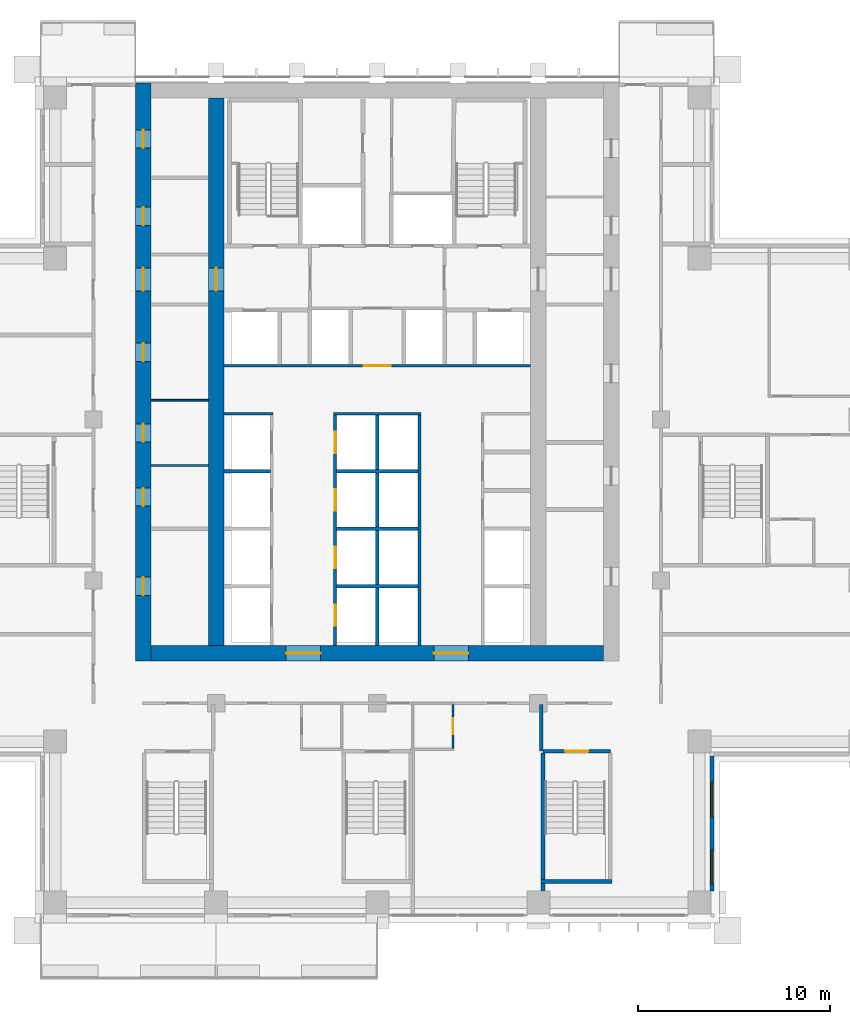
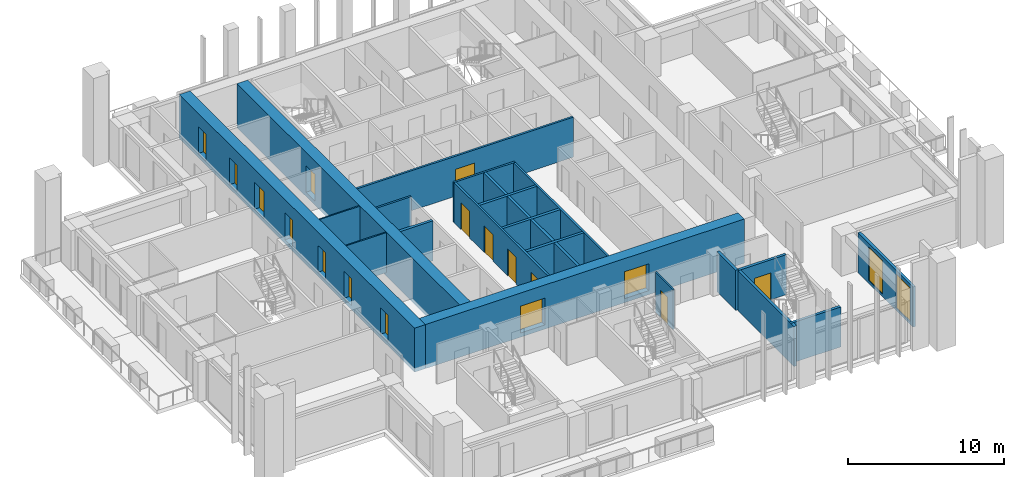
# One storey, part 8 of 17: 21 walls, 17 doors, 2 windows, 19 openings.
"""IFC4 building model written with IfcOpenShell, lengths in metres."""

from ifc_helpers import new_model, si_unit, direction, frame, frame_2d, origin, place, context, subcontext, project, spatial, rectangle, extrude, material, layer, layer_set, type_object, element, fill, save


model = new_model("IFC4")

# Units and contexts
model_context = context("Model", 3, precision=1e-05, world=origin(), true_north=direction((0.0, 1.0)))
body_context = subcontext(model_context, "Body", "Model", "MODEL_VIEW")
ifc_project = project(units=[si_unit("LENGTHUNIT", "METRE"), si_unit("AREAUNIT", "SQUARE_METRE"), si_unit("VOLUMEUNIT", "CUBIC_METRE"), si_unit("PLANEANGLEUNIT", "RADIAN"), si_unit("MASSUNIT", "GRAM", prefix="KILO")], contexts=[model_context])

# Site, building, storey
site_placement = place(None, origin())
site = spatial("IfcSite", under=ifc_project, at=site_placement, CompositionType="ELEMENT")
building_placement = place(site_placement, origin())
building = spatial("IfcBuilding", under=site, at=building_placement, Name="Vermilion Ogive Tower", CompositionType="ELEMENT")
storey_placement = place(building_placement, frame((0.0, 0.0, 97.64990234375)))
storey = spatial("IfcBuildingStorey", under=building, at=storey_placement, Name="L24", CompositionType="ELEMENT", Elevation=97.64990234375)

# Wall, openings, doors
ifc_material_1 = material(Name="Concrete B80", Category="concrete")
ifc_layer_1 = layer(ifc_material_1, 0.800048828125)
ifc_layer_set_1 = layer_set([ifc_layer_1], Name="Core wall 800 B80")
wall_type_1 = type_object("IfcWallType", Name="Core wall 800 B80", PredefinedType="SHEAR", material=ifc_layer_set_1)
wall_1_placement = place(storey_placement, frame((-12.199951171875, -8.39990234375, -0.31982421875), z_axis=(0.0, 0.0, 1.0), x_axis=(0.0, 1.0, 0.0)))
wall_1 = element("IfcWall", 1, at=wall_1_placement, inside=storey, type_object=wall_type_1, Name="L24-CORE-W", PredefinedType="SHEAR", context=body_context, shape_type="SweptSolid", body=[
    extrude(rectangle(XDim=30.14990234375, YDim=0.800048828125, at=frame_2d((15.074951171875, 0.0))), origin(), (0.0, 0.0, 1.0), 3.449951171875),
])
opening_1_placement = place(wall_1_placement, frame((3.425048828125, 0.0, 0.320068359375)))
opening_1 = element("IfcOpeningElement", 2, at=opening_1_placement, cuts=wall_1, Name="Opening DAD045", PredefinedType="OPENING", context=body_context, shape_type="SweptSolid", body=[
    extrude(rectangle(XDim=0.949951171875, YDim=2.10009765625, at=frame_2d((0.47509765625, 1.050048828125))), frame((0.0, 0.409912109375, 0.0), z_axis=(0.0, -1.0, 0.0), x_axis=(1.0, 0.0, 0.0)), (0.0, 0.0, 1.0), 0.820068359375),
])
opening_2_placement = place(wall_1_placement, frame((8.074951171875, 0.0, 0.320068359375)))
opening_2 = element("IfcOpeningElement", 3, at=opening_2_placement, cuts=wall_1, Name="Opening DAD046", PredefinedType="OPENING", context=body_context, shape_type="SweptSolid", body=[
    extrude(rectangle(XDim=0.949951171875, YDim=2.10009765625, at=frame_2d((0.47509765625, 1.050048828125))), frame((0.0, 0.409912109375, 0.0), z_axis=(0.0, -1.0, 0.0), x_axis=(1.0, 0.0, 0.0)), (0.0, 0.0, 1.0), 0.820068359375),
])
opening_3_placement = place(wall_1_placement, frame((11.425048828125, 0.0, 0.320068359375)))
opening_3 = element("IfcOpeningElement", 4, at=opening_3_placement, cuts=wall_1, Name="Opening DAD047", PredefinedType="OPENING", context=body_context, shape_type="SweptSolid", body=[
    extrude(rectangle(XDim=0.949951171875, YDim=2.10009765625, at=frame_2d((0.47509765625, 1.050048828125))), frame((0.0, 0.409912109375, 0.0), z_axis=(0.0, -1.0, 0.0), x_axis=(1.0, 0.0, 0.0)), (0.0, 0.0, 1.0), 0.820068359375),
])
opening_4_placement = place(wall_1_placement, frame((15.625, 0.0, 0.320068359375)))
opening_4 = element("IfcOpeningElement", 5, at=opening_4_placement, cuts=wall_1, Name="Opening DAD048", PredefinedType="OPENING", context=body_context, shape_type="SweptSolid", body=[
    extrude(rectangle(XDim=0.949951171875, YDim=2.10009765625, at=frame_2d((0.47509765625, 1.050048828125))), frame((0.0, 0.409912109375, 0.0), z_axis=(0.0, -1.0, 0.0), x_axis=(1.0, 0.0, 0.0)), (0.0, 0.0, 1.0), 0.820068359375),
])
opening_5_placement = place(wall_1_placement, frame((22.72509765625, 0.0, 0.320068359375)))
opening_5 = element("IfcOpeningElement", 6, at=opening_5_placement, cuts=wall_1, Name="Opening DAD049", PredefinedType="OPENING", context=body_context, shape_type="SweptSolid", body=[
    extrude(rectangle(XDim=0.949951171875, YDim=2.10009765625, at=frame_2d((0.47509765625, 1.050048828125))), frame((0.0, 0.409912109375, 0.0), z_axis=(0.0, -1.0, 0.0), x_axis=(1.0, 0.0, 0.0)), (0.0, 0.0, 1.0), 0.820068359375),
])
opening_6_placement = place(wall_1_placement, frame((26.75, 0.0, 0.320068359375)))
opening_6 = element("IfcOpeningElement", 7, at=opening_6_placement, cuts=wall_1, Name="Opening DAD050", PredefinedType="OPENING", context=body_context, shape_type="SweptSolid", body=[
    extrude(rectangle(XDim=0.949951171875, YDim=2.10009765625, at=frame_2d((0.47509765625, 1.050048828125))), frame((0.0, 0.409912109375, 0.0), z_axis=(0.0, -1.0, 0.0), x_axis=(1.0, 0.0, 0.0)), (0.0, 0.0, 1.0), 0.820068359375),
])
opening_7_placement = place(wall_1_placement, frame((19.300048828125, 0.0, 0.320068359375)))
opening_7 = element("IfcOpeningElement", 8, at=opening_7_placement, cuts=wall_1, Name="Opening DAM009", PredefinedType="OPENING", context=body_context, shape_type="SweptSolid", body=[
    extrude(rectangle(XDim=1.199951171875, YDim=2.10009765625, at=frame_2d((0.60009765625, 1.050048828125))), frame((0.0, 0.409912109375, 0.0), z_axis=(0.0, -1.0, 0.0), x_axis=(1.0, 0.0, 0.0)), (0.0, 0.0, 1.0), 0.820068359375),
])
ifc_material_2 = material(Name="Timber door leaf", Category="wood")
door_type_1 = type_object("IfcDoorType", Name="Link door 1200 x 2100 FD60S", OperationType="SINGLE_SWING_LEFT", PredefinedType="DOOR", material=ifc_material_2)
door_1_placement = place(opening_7_placement, origin())
door_1 = element("IfcDoor", 9, at=door_1_placement, inside=storey, type_object=door_type_1, Name="L24-CKW-XL", OperationType="SINGLE_SWING_LEFT", OverallHeight=2.10009765625, OverallWidth=1.199951171875, PredefinedType="DOOR", context=body_context, shape_type="SweptSolid", body=[
    extrude(rectangle(XDim=1.199951171875, YDim=2.10009765625, at=frame_2d((0.60009765625, 1.050048828125))), frame((0.0, 0.02490234375, 0.0), z_axis=(0.0, -1.0, 0.0), x_axis=(1.0, 0.0, 0.0)), (0.0, 0.0, 1.0), 0.050048828125),
])
fill(opening_7, door_1)
ifc_material_3 = material(Name="Timber door leaf", Category="wood")
door_type_2 = type_object("IfcDoorType", Name="Service door 950 x 2100 FD60", OperationType="SINGLE_SWING_LEFT", PredefinedType="DOOR", material=ifc_material_3)
door_2_placement = place(opening_1_placement, origin())
door_2 = element("IfcDoor", 10, at=door_2_placement, inside=storey, type_object=door_type_2, Name="L24-CKW-XR0", OperationType="SINGLE_SWING_LEFT", OverallHeight=2.10009765625, OverallWidth=0.949951171875, PredefinedType="DOOR", context=body_context, shape_type="SweptSolid", body=[
    extrude(rectangle(XDim=0.949951171875, YDim=2.10009765625, at=frame_2d((0.47509765625, 1.050048828125))), frame((0.0, 0.02490234375, 0.0), z_axis=(0.0, -1.0, 0.0), x_axis=(1.0, 0.0, 0.0)), (0.0, 0.0, 1.0), 0.050048828125),
])
fill(opening_1, door_2)
door_3_placement = place(opening_2_placement, origin())
door_3 = element("IfcDoor", 11, at=door_3_placement, inside=storey, type_object=door_type_2, Name="L24-CKW-XR1", OperationType="SINGLE_SWING_LEFT", OverallHeight=2.10009765625, OverallWidth=0.949951171875, PredefinedType="DOOR", context=body_context, shape_type="SweptSolid", body=[
    extrude(rectangle(XDim=0.949951171875, YDim=2.10009765625, at=frame_2d((0.47509765625, 1.050048828125))), frame((0.0, 0.02490234375, 0.0), z_axis=(0.0, -1.0, 0.0), x_axis=(1.0, 0.0, 0.0)), (0.0, 0.0, 1.0), 0.050048828125),
])
fill(opening_2, door_3)
door_4_placement = place(opening_3_placement, origin())
door_4 = element("IfcDoor", 12, at=door_4_placement, inside=storey, type_object=door_type_2, Name="L24-CKW-XR2", OperationType="SINGLE_SWING_LEFT", OverallHeight=2.10009765625, OverallWidth=0.949951171875, PredefinedType="DOOR", context=body_context, shape_type="SweptSolid", body=[
    extrude(rectangle(XDim=0.949951171875, YDim=2.10009765625, at=frame_2d((0.47509765625, 1.050048828125))), frame((0.0, 0.02490234375, 0.0), z_axis=(0.0, -1.0, 0.0), x_axis=(1.0, 0.0, 0.0)), (0.0, 0.0, 1.0), 0.050048828125),
])
fill(opening_3, door_4)
door_5_placement = place(opening_4_placement, origin())
door_5 = element("IfcDoor", 13, at=door_5_placement, inside=storey, type_object=door_type_2, Name="L24-CKW-XR3", OperationType="SINGLE_SWING_LEFT", OverallHeight=2.10009765625, OverallWidth=0.949951171875, PredefinedType="DOOR", context=body_context, shape_type="SweptSolid", body=[
    extrude(rectangle(XDim=0.949951171875, YDim=2.10009765625, at=frame_2d((0.47509765625, 1.050048828125))), frame((0.0, 0.02490234375, 0.0), z_axis=(0.0, -1.0, 0.0), x_axis=(1.0, 0.0, 0.0)), (0.0, 0.0, 1.0), 0.050048828125),
])
fill(opening_4, door_5)
door_6_placement = place(opening_5_placement, origin())
door_6 = element("IfcDoor", 14, at=door_6_placement, inside=storey, type_object=door_type_2, Name="L24-CKW-XR4", OperationType="SINGLE_SWING_LEFT", OverallHeight=2.10009765625, OverallWidth=0.949951171875, PredefinedType="DOOR", context=body_context, shape_type="SweptSolid", body=[
    extrude(rectangle(XDim=0.949951171875, YDim=2.10009765625, at=frame_2d((0.47509765625, 1.050048828125))), frame((0.0, 0.02490234375, 0.0), z_axis=(0.0, -1.0, 0.0), x_axis=(1.0, 0.0, 0.0)), (0.0, 0.0, 1.0), 0.050048828125),
])
fill(opening_5, door_6)
door_7_placement = place(opening_6_placement, origin())
door_7 = element("IfcDoor", 15, at=door_7_placement, inside=storey, type_object=door_type_2, Name="L24-CKW-XR5", OperationType="SINGLE_SWING_LEFT", OverallHeight=2.10009765625, OverallWidth=0.949951171875, PredefinedType="DOOR", context=body_context, shape_type="SweptSolid", body=[
    extrude(rectangle(XDim=0.949951171875, YDim=2.10009765625, at=frame_2d((0.47509765625, 1.050048828125))), frame((0.0, 0.02490234375, 0.0), z_axis=(0.0, -1.0, 0.0), x_axis=(1.0, 0.0, 0.0)), (0.0, 0.0, 1.0), 0.050048828125),
])
fill(opening_6, door_7)

wall_2_placement = place(storey_placement, frame((-11.800048828125, -8.0, -0.31982421875), z_axis=(0.0, 0.0, 1.0), x_axis=(1.0, 0.0, 0.0)))
wall_2 = element("IfcWall", 16, at=wall_2_placement, inside=storey, type_object=wall_type_1, Name="L24-CORE-S", PredefinedType="SHEAR", context=body_context, shape_type="SweptSolid", body=[
    extrude(rectangle(XDim=23.60009765625, YDim=0.800048828125, at=frame_2d((11.800048828125, 0.0))), origin(), (0.0, 0.0, 1.0), 3.449951171875),
])
opening_8_placement = place(wall_2_placement, frame((7.050048828125, 0.0, 0.320068359375)))
opening_8 = element("IfcOpeningElement", 17, at=opening_8_placement, cuts=wall_2, Name="Opening DAH017", PredefinedType="OPENING", context=body_context, shape_type="SweptSolid", body=[
    extrude(rectangle(XDim=1.800048828125, YDim=2.10009765625, at=frame_2d((0.89990234375, 1.050048828125))), frame((0.0, 0.409912109375, 0.0), z_axis=(0.0, -1.0, 0.0), x_axis=(1.0, 0.0, 0.0)), (0.0, 0.0, 1.0), 0.820068359375),
])
opening_9_placement = place(wall_2_placement, frame((14.75, 0.0, 0.320068359375)))
opening_9 = element("IfcOpeningElement", 18, at=opening_9_placement, cuts=wall_2, Name="Opening DAH018", PredefinedType="OPENING", context=body_context, shape_type="SweptSolid", body=[
    extrude(rectangle(XDim=1.800048828125, YDim=2.10009765625, at=frame_2d((0.89990234375, 1.050048828125))), frame((0.0, 0.409912109375, 0.0), z_axis=(0.0, -1.0, 0.0), x_axis=(1.0, 0.0, 0.0)), (0.0, 0.0, 1.0), 0.820068359375),
])
ifc_material_4 = material(Name="Timber door leaf", Category="wood")
door_type_3 = type_object("IfcDoorType", Name="Core entry door 1800 x 2100 FD60S", OperationType="DOUBLE_DOOR_SINGLE_SWING", PredefinedType="DOOR", material=ifc_material_4)
door_8_placement = place(opening_8_placement, origin())
door_8 = element("IfcDoor", 19, at=door_8_placement, inside=storey, type_object=door_type_3, Name="L24-CK-XD1", OperationType="SINGLE_SWING_LEFT", OverallHeight=2.10009765625, OverallWidth=1.800048828125, PredefinedType="DOOR", context=body_context, shape_type="SweptSolid", body=[
    extrude(rectangle(XDim=1.800048828125, YDim=2.10009765625, at=frame_2d((0.89990234375, 1.050048828125))), frame((0.0, 0.02490234375, 0.0), z_axis=(0.0, -1.0, 0.0), x_axis=(1.0, 0.0, 0.0)), (0.0, 0.0, 1.0), 0.050048828125),
])
fill(opening_8, door_8)
door_9_placement = place(opening_9_placement, origin())
door_9 = element("IfcDoor", 20, at=door_9_placement, inside=storey, type_object=door_type_3, Name="L24-CK-XD2", OperationType="SINGLE_SWING_LEFT", OverallHeight=2.10009765625, OverallWidth=1.800048828125, PredefinedType="DOOR", context=body_context, shape_type="SweptSolid", body=[
    extrude(rectangle(XDim=1.800048828125, YDim=2.10009765625, at=frame_2d((0.89990234375, 1.050048828125))), frame((0.0, 0.02490234375, 0.0), z_axis=(0.0, -1.0, 0.0), x_axis=(1.0, 0.0, 0.0)), (0.0, 0.0, 1.0), 0.050048828125),
])
fill(opening_9, door_9)

# Wall, opening, door
wall_3_placement = place(storey_placement, frame((-8.39990234375, -7.60009765625, -0.31982421875), z_axis=(0.0, 0.0, 1.0), x_axis=(0.0, 1.0, 0.0)))
wall_3 = element("IfcWall", 21, at=wall_3_placement, inside=storey, type_object=wall_type_1, Name="L24-CORE-WEB1", PredefinedType="SHEAR", context=body_context, shape_type="SweptSolid", body=[
    extrude(rectangle(XDim=28.550048828125, YDim=0.800048828125, at=frame_2d((14.27490234375, 0.0))), origin(), (0.0, 0.0, 1.0), 3.449951171875),
])
opening_10_placement = place(wall_3_placement, frame((18.5, 0.0, 0.320068359375)))
opening_10 = element("IfcOpeningElement", 22, at=opening_10_placement, cuts=wall_3, Name="Opening DAP009", PredefinedType="OPENING", context=body_context, shape_type="SweptSolid", body=[
    extrude(rectangle(XDim=1.199951171875, YDim=2.10009765625, at=frame_2d((0.60009765625, 1.050048828125))), frame((0.0, 0.409912109375, 0.0), z_axis=(0.0, -1.0, 0.0), x_axis=(1.0, 0.0, 0.0)), (0.0, 0.0, 1.0), 0.820068359375),
])
door_10_placement = place(opening_10_placement, origin())
door_10 = element("IfcDoor", 23, at=door_10_placement, inside=storey, type_object=door_type_1, Name="L24-CKW-XW", OperationType="SINGLE_SWING_LEFT", OverallHeight=2.10009765625, OverallWidth=1.199951171875, PredefinedType="DOOR", context=body_context, shape_type="SweptSolid", body=[
    extrude(rectangle(XDim=1.199951171875, YDim=2.10009765625, at=frame_2d((0.60009765625, 1.050048828125))), frame((0.0, 0.02490234375, 0.0), z_axis=(0.0, -1.0, 0.0), x_axis=(1.0, 0.0, 0.0)), (0.0, 0.0, 1.0), 0.050048828125),
])
fill(opening_10, door_10)

ifc_material_5 = material(Name="Gypsum board partition on steel studs", Category="steel")
ifc_layer_2 = layer(ifc_material_5, 0.10009765625)
ifc_layer_set_2 = layer_set([ifc_layer_2], Name="Partition 100 bath")
wall_type_2 = type_object("IfcWallType", Name="Partition 100 bath", PredefinedType="PARTITIONING", material=ifc_layer_set_2)
wall_4_placement = place(storey_placement, frame((3.949951171875, -12.949951171875, 0.0), z_axis=(0.0, 0.0, 1.0), x_axis=(0.0, 1.0, 0.0)))
wall_4 = element("IfcWall", 24, at=wall_4_placement, inside=storey, type_object=wall_type_2, Name="L24-W-W044", PredefinedType="PARTITIONING", context=body_context, shape_type="SweptSolid", body=[
    extrude(rectangle(XDim=2.27490234375, YDim=0.10009765625, at=frame_2d((1.137451171875, 0.0))), origin(), (0.0, 0.0, 1.0), 3.130126953125),
])
opening_11_placement = place(wall_4_placement, frame((0.724853515625, 0.0, 0.0)))
opening_11 = element("IfcOpeningElement", 25, at=opening_11_placement, cuts=wall_4, Name="Opening D2G3012", PredefinedType="OPENING", context=body_context, shape_type="SweptSolid", body=[
    extrude(rectangle(XDim=0.85009765625, YDim=2.10009765625, at=frame_2d((0.425048828125, 1.050048828125))), frame((0.0, 0.06005859375, 0.0), z_axis=(0.0, -1.0, 0.0), x_axis=(1.0, 0.0, 0.0)), (0.0, 0.0, 1.0), 0.1201171875),
])
ifc_material_6 = material(Name="Timber door leaf", Category="wood")
door_type_4 = type_object("IfcDoorType", Name="Bath door 850 x 2100 FD30", OperationType="SINGLE_SWING_LEFT", PredefinedType="DOOR", material=ifc_material_6)
door_11_placement = place(opening_11_placement, origin())
door_11 = element("IfcDoor", 26, at=door_11_placement, inside=storey, type_object=door_type_4, Name="L24-D-D012", OperationType="SINGLE_SWING_LEFT", OverallHeight=2.10009765625, OverallWidth=0.85009765625, PredefinedType="DOOR", context=body_context, shape_type="SweptSolid", body=[
    extrude(rectangle(XDim=0.85009765625, YDim=2.10009765625, at=frame_2d((0.425048828125, 1.050048828125))), frame((0.0, 0.02490234375, 0.0), z_axis=(0.0, -1.0, 0.0), x_axis=(1.0, 0.0, 0.0)), (0.0, 0.0, 1.0), 0.050048828125),
])
fill(opening_11, door_11)

# Walls
for number, where, z_axis, x_axis, name in (
    (27, (-11.799072265625, 1.800048828125, 0.0), (0.0, 0.0, 1.0), (1.0, 0.0, 0.0), "L24-CKW-W-W002"),
    (28, (-11.799072265625, 5.199951171875, 0.0), (0.0, 0.0, 1.0), (1.0, 0.0, 0.0), "L24-CKW-W-W003"),
):
    element("IfcWall", number, at=place(storey_placement, frame(where, z_axis=z_axis, x_axis=x_axis)), inside=storey, type_object=wall_type_2, Name=name, PredefinedType="PARTITIONING", context=body_context, shape_type="SweptSolid", body=[
        extrude(rectangle(XDim=2.998046875, YDim=0.10009765625, at=frame_2d((1.4990234375, 0.0))), origin(), (0.0, 0.0, 1.0), 3.130126953125),
    ])
ifc_material_7 = material(Name="Gypsum board partition on steel studs", Category="steel")
ifc_layer_3 = layer(ifc_material_7, 0.14990234375)
ifc_layer_set_3 = layer_set([ifc_layer_3], Name="Partition 150 corridor")
wall_type_3 = type_object("IfcWallType", Name="Partition 150 corridor", PredefinedType="PARTITIONING", material=ifc_layer_set_3)
wall_5_placement = place(storey_placement, frame((-7.9990234375, 4.5, 0.0), z_axis=(0.0, 0.0, 1.0), x_axis=(1.0, 0.0, 0.0)))
element("IfcWall", 29, at=wall_5_placement, inside=storey, type_object=wall_type_3, Name="L24-CK-W-W011", PredefinedType="PARTITIONING", context=body_context, shape_type="SweptSolid", body=[
    extrude(rectangle(XDim=2.573974609375, YDim=0.14990234375, at=frame_2d((1.287109375, 0.0))), origin(), (0.0, 0.0, 1.0), 3.130126953125),
])
wall_6_placement = place(storey_placement, frame((-2.27490234375, 4.5, 0.0), z_axis=(0.0, 0.0, 1.0), x_axis=(1.0, 0.0, 0.0)))
element("IfcWall", 30, at=wall_6_placement, inside=storey, type_object=wall_type_3, Name="L24-CK-W-W012", PredefinedType="PARTITIONING", context=body_context, shape_type="SweptSolid", body=[
    extrude(rectangle(XDim=4.5498046875, YDim=0.14990234375, at=frame_2d((2.27490234375, 0.0))), origin(), (0.0, 0.0, 1.0), 3.130126953125),
])

# Wall, opening, door
wall_7_placement = place(storey_placement, frame((-7.9990234375, 7.0, 0.0), z_axis=(0.0, 0.0, 1.0), x_axis=(1.0, 0.0, 0.0)))
wall_7 = element("IfcWall", 31, at=wall_7_placement, inside=storey, type_object=wall_type_3, Name="L24-CK-W-W014", PredefinedType="PARTITIONING", context=body_context, shape_type="SweptSolid", body=[
    extrude(rectangle(XDim=15.998046875, YDim=0.14990234375, at=frame_2d((7.9990234375, 0.0))), origin(), (0.0, 0.0, 1.0), 3.130126953125),
])
opening_12_placement = place(wall_7_placement, frame((7.299072265625, 0.0, 0.0)))
opening_12 = element("IfcOpeningElement", 32, at=opening_12_placement, cuts=wall_7, Name="Opening DAA186", PredefinedType="OPENING", context=body_context, shape_type="SweptSolid", body=[
    extrude(rectangle(XDim=1.39990234375, YDim=2.10009765625, at=frame_2d((0.699951171875, 1.050048828125))), frame((0.0, 0.0849609375, 0.0), z_axis=(0.0, -1.0, 0.0), x_axis=(1.0, 0.0, 0.0)), (0.0, 0.0, 1.0), 0.169921875),
])
ifc_material_8 = material(Name="Timber door leaf", Category="wood")
door_type_5 = type_object("IfcDoorType", Name="Lobby door 1400 x 2100 FD60S", OperationType="SINGLE_SWING_LEFT", PredefinedType="DOOR", material=ifc_material_8)
door_12_placement = place(opening_12_placement, origin())
door_12 = element("IfcDoor", 33, at=door_12_placement, inside=storey, type_object=door_type_5, Name="L24-CK-D-D016", OperationType="SINGLE_SWING_RIGHT", OverallHeight=2.10009765625, OverallWidth=1.39990234375, PredefinedType="DOOR", context=body_context, shape_type="SweptSolid", body=[
    extrude(rectangle(XDim=1.39990234375, YDim=2.10009765625, at=frame_2d((0.699951171875, 1.050048828125))), frame((0.0, 0.02490234375, 0.0), z_axis=(0.0, -1.0, 0.0), x_axis=(1.0, 0.0, 0.0)), (0.0, 0.0, 1.0), 0.050048828125),
])
fill(opening_12, door_12)

# Wall, openings, doors
wall_8_placement = place(storey_placement, frame((-2.199951171875, -7.59912109375, 0.0), z_axis=(0.0, 0.0, 1.0), x_axis=(0.0, 1.0, 0.0)))
wall_8 = element("IfcWall", 34, at=wall_8_placement, inside=storey, type_object=wall_type_3, Name="L24-CK-W-W028", PredefinedType="PARTITIONING", context=body_context, shape_type="SweptSolid", body=[
    extrude(rectangle(XDim=12.024169921875, YDim=0.14990234375, at=frame_2d((6.01220703125, 0.0))), origin(), (0.0, 0.0, 1.0), 3.130126953125),
])
opening_13_placement = place(wall_8_placement, frame((1.049072265625, 0.0, 0.0)))
opening_13 = element("IfcOpeningElement", 35, at=opening_13_placement, cuts=wall_8, Name="Opening DAA202", PredefinedType="OPENING", context=body_context, shape_type="SweptSolid", body=[
    extrude(rectangle(XDim=1.10009765625, YDim=2.10009765625, at=frame_2d((0.550048828125, 1.050048828125))), frame((0.0, 0.0849609375, 0.0), z_axis=(0.0, -1.0, 0.0), x_axis=(1.0, 0.0, 0.0)), (0.0, 0.0, 1.0), 0.169921875),
])
opening_14_placement = place(wall_8_placement, frame((4.049072265625, 0.0, 0.0)))
opening_14 = element("IfcOpeningElement", 36, at=opening_14_placement, cuts=wall_8, Name="Opening DAA203", PredefinedType="OPENING", context=body_context, shape_type="SweptSolid", body=[
    extrude(rectangle(XDim=1.10009765625, YDim=2.10009765625, at=frame_2d((0.550048828125, 1.050048828125))), frame((0.0, 0.0849609375, 0.0), z_axis=(0.0, -1.0, 0.0), x_axis=(1.0, 0.0, 0.0)), (0.0, 0.0, 1.0), 0.169921875),
])
opening_15_placement = place(wall_8_placement, frame((7.049072265625, 0.0, 0.0)))
opening_15 = element("IfcOpeningElement", 37, at=opening_15_placement, cuts=wall_8, Name="Opening DAA204", PredefinedType="OPENING", context=body_context, shape_type="SweptSolid", body=[
    extrude(rectangle(XDim=1.10009765625, YDim=2.10009765625, at=frame_2d((0.550048828125, 1.050048828125))), frame((0.0, 0.0849609375, 0.0), z_axis=(0.0, -1.0, 0.0), x_axis=(1.0, 0.0, 0.0)), (0.0, 0.0, 1.0), 0.169921875),
])
opening_16_placement = place(wall_8_placement, frame((10.049072265625, 0.0, 0.0)))
opening_16 = element("IfcOpeningElement", 38, at=opening_16_placement, cuts=wall_8, Name="Opening DAA205", PredefinedType="OPENING", context=body_context, shape_type="SweptSolid", body=[
    extrude(rectangle(XDim=1.10009765625, YDim=2.10009765625, at=frame_2d((0.550048828125, 1.050048828125))), frame((0.0, 0.0849609375, 0.0), z_axis=(0.0, -1.0, 0.0), x_axis=(1.0, 0.0, 0.0)), (0.0, 0.0, 1.0), 0.169921875),
])
ifc_material_9 = material(Name="Stainless steel", Category="steel")
door_type_6 = type_object("IfcDoorType", Name="Lift landing door 1100 x 2100", OperationType="SLIDING_TO_LEFT", PredefinedType="DOOR", material=ifc_material_9)
door_13_placement = place(opening_13_placement, origin())
door_13 = element("IfcDoor", 39, at=door_13_placement, inside=storey, type_object=door_type_6, Name="L24-CK-D-D005", OperationType="SLIDING_TO_LEFT", OverallHeight=2.10009765625, OverallWidth=1.10009765625, PredefinedType="DOOR", context=body_context, shape_type="SweptSolid", body=[
    extrude(rectangle(XDim=1.10009765625, YDim=2.10009765625, at=frame_2d((0.550048828125, 1.050048828125))), frame((0.0, 0.02490234375, 0.0), z_axis=(0.0, -1.0, 0.0), x_axis=(1.0, 0.0, 0.0)), (0.0, 0.0, 1.0), 0.050048828125),
])
fill(opening_13, door_13)
door_14_placement = place(opening_14_placement, origin())
door_14 = element("IfcDoor", 40, at=door_14_placement, inside=storey, type_object=door_type_6, Name="L24-CK-D-D006", OperationType="SLIDING_TO_LEFT", OverallHeight=2.10009765625, OverallWidth=1.10009765625, PredefinedType="DOOR", context=body_context, shape_type="SweptSolid", body=[
    extrude(rectangle(XDim=1.10009765625, YDim=2.10009765625, at=frame_2d((0.550048828125, 1.050048828125))), frame((0.0, 0.02490234375, 0.0), z_axis=(0.0, -1.0, 0.0), x_axis=(1.0, 0.0, 0.0)), (0.0, 0.0, 1.0), 0.050048828125),
])
fill(opening_14, door_14)
door_15_placement = place(opening_15_placement, origin())
door_15 = element("IfcDoor", 41, at=door_15_placement, inside=storey, type_object=door_type_6, Name="L24-CK-D-D007", OperationType="SLIDING_TO_LEFT", OverallHeight=2.10009765625, OverallWidth=1.10009765625, PredefinedType="DOOR", context=body_context, shape_type="SweptSolid", body=[
    extrude(rectangle(XDim=1.10009765625, YDim=2.10009765625, at=frame_2d((0.550048828125, 1.050048828125))), frame((0.0, 0.02490234375, 0.0), z_axis=(0.0, -1.0, 0.0), x_axis=(1.0, 0.0, 0.0)), (0.0, 0.0, 1.0), 0.050048828125),
])
fill(opening_15, door_15)
door_16_placement = place(opening_16_placement, origin())
door_16 = element("IfcDoor", 42, at=door_16_placement, inside=storey, type_object=door_type_6, Name="L24-CK-D-D008", OperationType="SLIDING_TO_LEFT", OverallHeight=2.10009765625, OverallWidth=1.10009765625, PredefinedType="DOOR", context=body_context, shape_type="SweptSolid", body=[
    extrude(rectangle(XDim=1.10009765625, YDim=2.10009765625, at=frame_2d((0.550048828125, 1.050048828125))), frame((0.0, 0.02490234375, 0.0), z_axis=(0.0, -1.0, 0.0), x_axis=(1.0, 0.0, 0.0)), (0.0, 0.0, 1.0), 0.050048828125),
])
fill(opening_16, door_16)

# Walls
wall_9_placement = place(storey_placement, frame((2.199951171875, -7.59912109375, 0.0), z_axis=(0.0, 0.0, 1.0), x_axis=(0.0, 1.0, 0.0)))
element("IfcWall", 43, at=wall_9_placement, inside=storey, type_object=wall_type_3, Name="L24-CK-W-W035", PredefinedType="PARTITIONING", context=body_context, shape_type="SweptSolid", body=[
    extrude(rectangle(XDim=12.024169921875, YDim=0.14990234375, at=frame_2d((6.01220703125, 0.0))), origin(), (0.0, 0.0, 1.0), 3.130126953125),
])
ifc_material_10 = material(Name="Gypsum board partition on steel studs", Category="steel")
ifc_layer_4 = layer(ifc_material_10, 0.199951171875)
ifc_layer_set_4 = layer_set([ifc_layer_4], Name="Partition 200 party")
wall_type_4 = type_object("IfcWallType", Name="Partition 200 party", PredefinedType="PARTITIONING", material=ifc_layer_set_4)
wall_10_placement = place(storey_placement, frame((8.550048828125, -13.10009765625, 0.0), z_axis=(0.0, 0.0, 1.0), x_axis=(0.0, 1.0, 0.0)))
element("IfcWall", 44, at=wall_10_placement, inside=storey, type_object=wall_type_4, Name="L24-W-W045", PredefinedType="PARTITIONING", context=body_context, shape_type="SweptSolid", body=[
    extrude(rectangle(XDim=2.425048828125, YDim=0.199951171875, at=frame_2d((1.21240234375, 0.0))), origin(), (0.0, 0.0, 1.0), 3.130126953125),
])
for number, where, z_axis, x_axis, name in (
    (45, (-2.125, -4.5, 0.0), (0.0, 0.0, 1.0), (1.0, 0.0, 0.0), "L24-CK-W-W002"),
    (46, (-2.125, -1.5, 0.0), (0.0, 0.0, 1.0), (1.0, 0.0, 0.0), "L24-CK-W-W005"),
):
    element("IfcWall", number, at=place(storey_placement, frame(where, z_axis=z_axis, x_axis=x_axis)), inside=storey, type_object=wall_type_4, Name=name, PredefinedType="PARTITIONING", context=body_context, shape_type="SweptSolid", body=[
        extrude(rectangle(XDim=4.25, YDim=0.199951171875, at=frame_2d((2.125, 0.0))), origin(), (0.0, 0.0, 1.0), 3.130126953125),
    ])
wall_11_placement = place(storey_placement, frame((-7.9990234375, 1.5, 0.0), z_axis=(0.0, 0.0, 1.0), x_axis=(1.0, 0.0, 0.0)))
element("IfcWall", 47, at=wall_11_placement, inside=storey, type_object=wall_type_4, Name="L24-CK-W-W008", PredefinedType="PARTITIONING", context=body_context, shape_type="SweptSolid", body=[
    extrude(rectangle(XDim=2.424072265625, YDim=0.199951171875, at=frame_2d((1.2119140625, 0.0))), origin(), (0.0, 0.0, 1.0), 3.130126953125),
])
wall_12_placement = place(storey_placement, frame((-2.125, 1.5, 0.0), z_axis=(0.0, 0.0, 1.0), x_axis=(1.0, 0.0, 0.0)))
element("IfcWall", 48, at=wall_12_placement, inside=storey, type_object=wall_type_4, Name="L24-CK-W-W009", PredefinedType="PARTITIONING", context=body_context, shape_type="SweptSolid", body=[
    extrude(rectangle(XDim=4.25, YDim=0.199951171875, at=frame_2d((2.125, 0.0))), origin(), (0.0, 0.0, 1.0), 3.130126953125),
])
wall_13_placement = place(storey_placement, frame((0.0, -7.59912109375, 0.0), z_axis=(0.0, 0.0, 1.0), x_axis=(0.0, 1.0, 0.0)))
element("IfcWall", 49, at=wall_13_placement, inside=storey, type_object=wall_type_4, Name="L24-CK-W-W031", PredefinedType="PARTITIONING", context=body_context, shape_type="SweptSolid", body=[
    extrude(rectangle(XDim=12.024169921875, YDim=0.199951171875, at=frame_2d((6.01220703125, 0.0))), origin(), (0.0, 0.0, 1.0), 3.130126953125),
])

# Wall, opening, door
ifc_material_11 = material(Name="Concrete B60", Category="concrete")
ifc_layer_5 = layer(ifc_material_11, 0.199951171875)
ifc_layer_set_5 = layer_set([ifc_layer_5], Name="Stair shaft wall 200 Concrete B60")
wall_type_5 = type_object("IfcWallType", Name="Stair shaft wall 200 Concrete B60", PredefinedType="SOLIDWALL", material=ifc_layer_set_5)
wall_14_placement = place(storey_placement, frame((8.64990234375, -13.10009765625, 0.0), z_axis=(0.0, 0.0, 1.0), x_axis=(1.0, 0.0, 0.0)))
wall_14 = element("IfcWall", 50, at=wall_14_placement, inside=storey, type_object=wall_type_5, Name="L24-W-W004", PredefinedType="SOLIDWALL", context=body_context, shape_type="SweptSolid", body=[
    extrude(rectangle(XDim=3.5, YDim=0.199951171875, at=frame_2d((1.75, 0.0))), origin(), (0.0, 0.0, 1.0), 3.130126953125),
])
opening_17_placement = place(wall_14_placement, frame((1.150146484375, 0.0, 0.0)))
opening_17 = element("IfcOpeningElement", 51, at=opening_17_placement, cuts=wall_14, Name="Opening D2G3025", PredefinedType="OPENING", context=body_context, shape_type="SweptSolid", body=[
    extrude(rectangle(XDim=1.199951171875, YDim=2.10009765625, at=frame_2d((0.60009765625, 1.050048828125))), frame((0.0, 0.10986328125, 0.0), z_axis=(0.0, -1.0, 0.0), x_axis=(1.0, 0.0, 0.0)), (0.0, 0.0, 1.0), 0.219970703125),
])
ifc_material_12 = material(Name="Timber door leaf", Category="wood")
door_type_7 = type_object("IfcDoorType", Name="Stair door 1200 x 2100 FD60S", OperationType="SINGLE_SWING_LEFT", PredefinedType="DOOR", material=ifc_material_12)
door_17_placement = place(opening_17_placement, origin())
door_17 = element("IfcDoor", 52, at=door_17_placement, inside=storey, type_object=door_type_7, Name="L24-D-D025", OperationType="SINGLE_SWING_RIGHT", OverallHeight=2.10009765625, OverallWidth=1.199951171875, PredefinedType="DOOR", context=body_context, shape_type="SweptSolid", body=[
    extrude(rectangle(XDim=1.199951171875, YDim=2.10009765625, at=frame_2d((0.60009765625, 1.050048828125))), frame((0.0, 0.02490234375, 0.0), z_axis=(0.0, -1.0, 0.0), x_axis=(1.0, 0.0, 0.0)), (0.0, 0.0, 1.0), 0.050048828125),
])
fill(opening_17, door_17)

# Walls
wall_15_placement = place(storey_placement, frame((8.550048828125, -19.89990234375, 0.0), z_axis=(0.0, 0.0, 1.0), x_axis=(1.0, 0.0, 0.0)))
element("IfcWall", 53, at=wall_15_placement, inside=storey, type_object=wall_type_5, Name="L24-SW-ST5-S1", PredefinedType="SOLIDWALL", context=body_context, shape_type="SweptSolid", body=[
    extrude(rectangle(XDim=3.699951171875, YDim=0.199951171875, at=frame_2d((1.85009765625, 0.0))), origin(), (0.0, 0.0, 1.0), 3.130126953125),
])
wall_16_placement = place(storey_placement, frame((8.64990234375, -20.39990234375, 0.0), z_axis=(0.0, 0.0, 1.0), x_axis=(0.0, 1.0, 0.0)))
element("IfcWall", 54, at=wall_16_placement, inside=storey, type_object=wall_type_5, Name="L24-SW-ST5-W1", PredefinedType="SOLIDWALL", context=body_context, shape_type="SweptSolid", body=[
    extrude(rectangle(XDim=7.199951171875, YDim=0.199951171875, at=frame_2d((3.60009765625, 0.0))), origin(), (0.0, 0.0, 1.0), 3.130126953125),
])

# Wall, openings, windows
ifc_material_13 = material(Name="Aluminium window wall framing", Category="aluminium")
ifc_layer_6 = layer(ifc_material_13, 0.199951171875)
ifc_layer_set_6 = layer_set([ifc_layer_6], Name="Window wall")
wall_type_6 = type_object("IfcWallType", Name="Window wall", PredefinedType="STANDARD", material=ifc_layer_set_6)
wall_17_placement = place(storey_placement, frame((17.449951171875, -20.39990234375, 0.0), z_axis=(0.0, 0.0, 1.0), x_axis=(0.0, 1.0, 0.0)))
wall_17 = element("IfcWall", 55, at=wall_17_placement, inside=storey, type_object=wall_type_6, Name="Window wall X11", PredefinedType="STANDARD", context=body_context, shape_type="SweptSolid", body=[
    extrude(rectangle(XDim=7.0498046875, YDim=0.199951171875, at=frame_2d((3.52490234375, 0.0))), origin(), (0.0, 0.0, 1.0), 3.130126953125),
])
opening_18_placement = place(wall_17_placement, frame((0.35009765625, 0.0, 0.199951171875)))
opening_18 = element("IfcOpeningElement", 56, at=opening_18_placement, cuts=wall_17, Name="Opening W1-X195", PredefinedType="OPENING", context=body_context, shape_type="SweptSolid", body=[
    extrude(rectangle(XDim=1.800048828125, YDim=2.64990234375, at=frame_2d((0.89990234375, 1.324951171875))), frame((0.0, 0.10986328125, 0.0), z_axis=(0.0, -1.0, 0.0), x_axis=(1.0, 0.0, 0.0)), (0.0, 0.0, 1.0), 0.219970703125),
])
opening_19_placement = place(wall_17_placement, frame((3.875, 0.0, 0.199951171875)))
opening_19 = element("IfcOpeningElement", 57, at=opening_19_placement, cuts=wall_17, Name="Opening W1-X196", PredefinedType="OPENING", context=body_context, shape_type="SweptSolid", body=[
    extrude(rectangle(XDim=1.800048828125, YDim=2.64990234375, at=frame_2d((0.89990234375, 1.324951171875))), frame((0.0, 0.10986328125, 0.0), z_axis=(0.0, -1.0, 0.0), x_axis=(1.0, 0.0, 0.0)), (0.0, 0.0, 1.0), 0.219970703125),
])
ifc_material_14 = material(Name="Aluminium framed double glazing", Category="aluminium")
window_type = type_object("IfcWindowType", Name="Guest window W1", PartitioningType="SINGLE_PANEL", PredefinedType="WINDOW", material=ifc_material_14)
window_1_placement = place(opening_18_placement, origin())
window_1 = element("IfcWindow", 58, at=window_1_placement, inside=storey, type_object=window_type, Name="Window X195", OverallHeight=2.64990234375, OverallWidth=1.800048828125, PartitioningType="SINGLE_PANEL", PredefinedType="WINDOW", context=body_context, shape_type="SweptSolid", body=[
    extrude(rectangle(XDim=1.800048828125, YDim=2.64990234375, at=frame_2d((0.89990234375, 1.324951171875))), frame((0.0, 0.030029296875, 0.0), z_axis=(0.0, -1.0, 0.0), x_axis=(1.0, 0.0, 0.0)), (0.0, 0.0, 1.0), 0.06005859375),
])
fill(opening_18, window_1)
window_2_placement = place(opening_19_placement, origin())
window_2 = element("IfcWindow", 59, at=window_2_placement, inside=storey, type_object=window_type, Name="Window X196", OverallHeight=2.64990234375, OverallWidth=1.800048828125, PartitioningType="SINGLE_PANEL", PredefinedType="WINDOW", context=body_context, shape_type="SweptSolid", body=[
    extrude(rectangle(XDim=1.800048828125, YDim=2.64990234375, at=frame_2d((0.89990234375, 1.324951171875))), frame((0.0, 0.030029296875, 0.0), z_axis=(0.0, -1.0, 0.0), x_axis=(1.0, 0.0, 0.0)), (0.0, 0.0, 1.0), 0.06005859375),
])
fill(opening_19, window_2)

save(model, "model.ifc")
